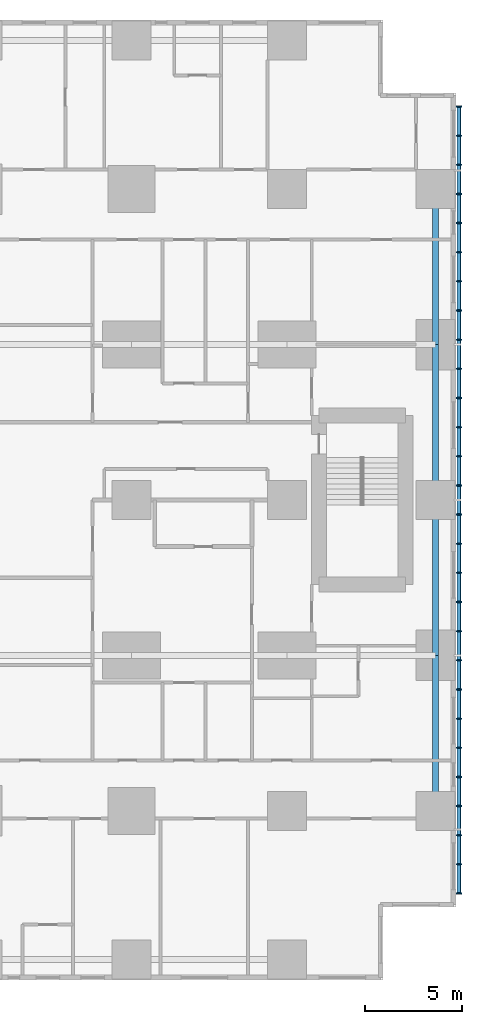
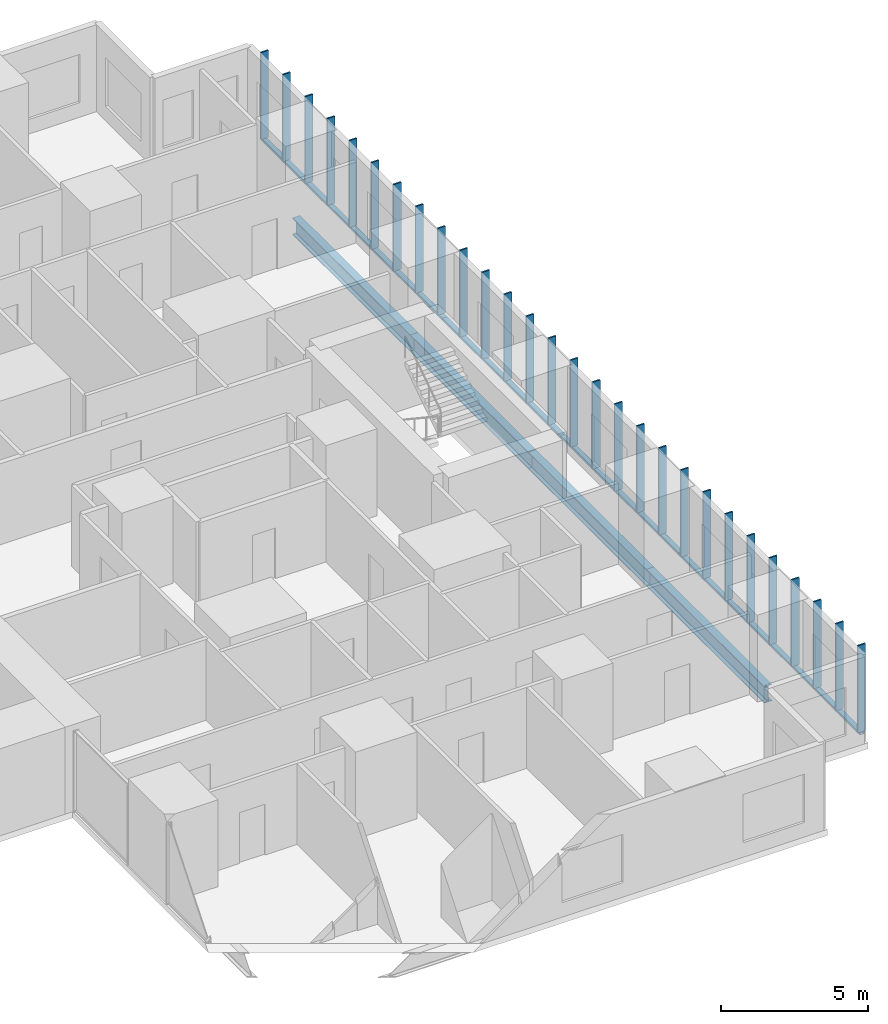
# One storey, part 6 of 20: 32 members, 4 beams.
"""IFC4 building model written with IfcOpenShell, lengths in metres."""

import ifcopenshell
import ifcopenshell.guid

model = None  # the IFC model being written
_history = None  # IfcOwnerHistory: only IFC2X3 demands one
_inside = {}  # id of a spatial element -> (the spatial element, [elements in it])
_under = {}  # id of a project, library or spatial element -> (it, [spatial elements below it])
_declared = {}  # id of a project -> (the project, [libraries it declares])
_typed = {}  # id of a type object -> (the type object, [elements of that type])
_made_of = {}  # id of a material, layer set ... -> (it, [elements and type objects made of it])


def new_model(schema):
    """Start an empty IFC model of exactly this schema.

    Asked for "IFC4X3", IfcOpenShell would pick the latest addendum, in which some entities
    have other attributes; the version numbers below select the first issue.
    IFC2X3 requires an IfcOwnerHistory on every rooted entity: one is made here for all.
    """
    global model, _history
    if schema == "IFC4X3":
        model = ifcopenshell.file(schema_version=(4, 3, 0, 0))
    else:
        model = ifcopenshell.file(schema=schema)
    _inside.clear()
    _under.clear()
    _declared.clear()
    _typed.clear()
    _made_of.clear()
    _history = None
    if model.schema == "IFC2X3":
        org = make("IfcOrganization", Name="unknown")
        user = make(
            "IfcPersonAndOrganization",
            ThePerson=make("IfcPerson", FamilyName="unknown"),
            TheOrganization=org,
        )
        app = make(
            "IfcApplication",
            ApplicationDeveloper=org,
            Version="unknown",
            ApplicationFullName="unknown",
            ApplicationIdentifier="unknown",
        )
        _history = make(
            "IfcOwnerHistory",
            OwningUser=user,
            OwningApplication=app,
            ChangeAction="ADDED",
            CreationDate=0,
        )
    return model


def make(cls, **values):
    """One entity of the class cls with the attributes given. An attribute that is None is left unset."""
    return model.create_entity(
        cls, **{name: value for name, value in values.items() if value is not None}
    )


def rooted(cls, **values):
    """An entity with a GlobalId (a new one), such as an element, a storey or a relation."""
    return make(cls, GlobalId=ifcopenshell.guid.new(), OwnerHistory=_history, **values)


def si_unit(unit_type, name, prefix=None):
    """IfcSIUnit, for example si_unit("LENGTHUNIT", "METRE", prefix="MILLI")."""
    return make("IfcSIUnit", UnitType=unit_type, Prefix=prefix, Name=name)


def assignment(units):
    """IfcUnitAssignment: the units of a project."""
    return None if units is None else make("IfcUnitAssignment", Units=units)


def point(xyz):
    """IfcCartesianPoint."""
    return None if xyz is None else make("IfcCartesianPoint", Coordinates=xyz)


def direction(xyz):
    """IfcDirection."""
    return None if xyz is None else make("IfcDirection", DirectionRatios=xyz)


def frame(location, z_axis=None, x_axis=None):
    """IfcAxis2Placement3D, a coordinate frame: its origin and axes. An axis left out is left unset."""
    return make(
        "IfcAxis2Placement3D",
        Location=point(location),
        Axis=direction(z_axis),
        RefDirection=direction(x_axis),
    )


def frame_2d(location, x_axis=None):
    """IfcAxis2Placement2D, a coordinate frame in the plane: its origin and x axis."""
    return make(
        "IfcAxis2Placement2D", Location=point(location), RefDirection=direction(x_axis)
    )


def origin():
    """The frame at (0, 0, 0) with its axes left unset."""
    return frame((0.0, 0.0, 0.0))


def origin_2d():
    """The frame at (0, 0) in the plane with its x axis left unset."""
    return frame_2d((0.0, 0.0))


def place(relative_to, where):
    """IfcLocalPlacement: puts the frame where relative to a parent placement (None: the world)."""
    return make(
        "IfcLocalPlacement", PlacementRelTo=relative_to, RelativePlacement=where
    )


def context(
    kind, dimensions, precision=None, world=None, true_north=None, identifier=None
):
    """IfcGeometricRepresentationContext, for example the 3D "Model" context."""
    return make(
        "IfcGeometricRepresentationContext",
        ContextIdentifier=identifier,
        ContextType=kind,
        CoordinateSpaceDimension=dimensions,
        Precision=precision,
        WorldCoordinateSystem=world,
        TrueNorth=true_north,
    )


def subcontext(parent, identifier, kind, view, scale=None):
    """IfcGeometricRepresentationSubContext, for example "Body" below "Model"."""
    return make(
        "IfcGeometricRepresentationSubContext",
        ContextIdentifier=identifier,
        ContextType=kind,
        ParentContext=parent,
        TargetScale=scale,
        TargetView=view,
    )


def project(units=None, contexts=None):
    """IfcProject with its units and contexts."""
    return rooted(
        "IfcProject",
        Name="project",
        RepresentationContexts=contexts,
        UnitsInContext=assignment(units),
    )


def spatial(cls, under=None, at=None, **own):
    """A site, building, storey or space (cls), placed at a placement, below another one or the project."""
    s = rooted(cls, ObjectPlacement=at, **own)
    if under is not None:
        _under.setdefault(under.id(), (under, []))[1].append(s)
    return s


def profile(cls, at=None, kind="AREA", **sizes):
    """A parametric profile (cls). Its sizes go by their IFC names, for example OverallWidth=200.0."""
    return make(cls, ProfileType=kind, Position=at, **sizes)


def rectangle(**sizes):
    """IfcRectangleProfileDef."""
    return profile("IfcRectangleProfileDef", **sizes)


def hollow_rectangle(**sizes):
    """IfcRectangleHollowProfileDef."""
    return profile("IfcRectangleHollowProfileDef", **sizes)


def i_section(**sizes):
    """IfcIShapeProfileDef."""
    return profile("IfcIShapeProfileDef", **sizes)


def extrude(swept, where, along, depth):
    """IfcExtrudedAreaSolid: the profile swept, set in the frame where, extruded along a direction by depth."""
    return make(
        "IfcExtrudedAreaSolid",
        SweptArea=swept,
        Position=where,
        ExtrudedDirection=direction(along),
        Depth=depth,
    )


def shape(context_of_items, identifier, shape_type, items):
    """IfcShapeRepresentation: the items that make up one representation, for example the "Body"."""
    return make(
        "IfcShapeRepresentation",
        ContextOfItems=context_of_items,
        RepresentationIdentifier=identifier,
        RepresentationType=shape_type,
        Items=items,
    )


def material(Name=None, Category=None):
    """IfcMaterial."""
    return make("IfcMaterial", Name=Name, Category=Category)


def material_profile(
    of_material, cross_section, Name=None, Category=None, Priority=None
):
    """IfcMaterialProfile: a cross section and its material."""
    return make(
        "IfcMaterialProfile",
        Name=Name,
        Material=of_material,
        Profile=cross_section,
        Priority=Priority,
        Category=Category,
    )


def profile_set(profiles, Name=None, composite=None):
    """IfcMaterialProfileSet."""
    return make(
        "IfcMaterialProfileSet",
        Name=Name,
        MaterialProfiles=profiles,
        CompositeProfile=composite,
    )


def made_of(thing, what):
    """Note that an element or type object is made of a material, layer set ...; save() writes the relation."""
    if what is not None:
        _made_of.setdefault(what.id(), (what, []))[1].append(thing)
    return thing


def type_object(cls, material=None, **own):
    """A type object (cls), such as IfcWallType, which elements share."""
    return made_of(rooted(cls, **own), material)


def element(
    cls,
    number,
    at=None,
    inside=None,
    cuts=None,
    type_object=None,
    material=None,
    context=None,
    identifier="Body",
    shape_type=None,
    held_by="IfcProductDefinitionShape",
    body=None,
    shapes=None,
    **own,
):
    """One element of the class cls, such as IfcWall. Its Tag is "e" and its number.

    at: its placement. inside: the storey or other place that contains it. cuts: it is an
    opening in that element (IfcRelVoidsElement). A single representation is given by context,
    identifier, shape_type and body (its items); several are given by shapes. held_by: the class
    of the entity that holds the representations. save() writes the other relations.
    """
    e = rooted(cls, Tag="e%d" % number, ObjectPlacement=at, **own)
    if body is not None:
        shapes = [shape(context, identifier, shape_type, body)]
    if shapes is not None:
        e.Representation = make(held_by, Representations=shapes)
    if inside is not None:
        _inside.setdefault(inside.id(), (inside, []))[1].append(e)
    if cuts is not None:
        rooted(
            "IfcRelVoidsElement", RelatingBuildingElement=cuts, RelatedOpeningElement=e
        )
    if type_object is not None:
        _typed.setdefault(type_object.id(), (type_object, []))[1].append(e)
    return made_of(e, material)


def aggregate(whole, parts):
    """IfcRelAggregates: a whole, such as a stair, and the parts it consists of."""
    return rooted("IfcRelAggregates", RelatingObject=whole, RelatedObjects=parts)


def save(model, path):
    """Write the relations noted so far, then the file.

    IfcRelAggregates (storeys below a building ...), IfcRelContainedInSpatialStructure (elements
    in a storey), IfcRelDefinesByType, IfcRelAssociatesMaterial and IfcRelDeclares: one each for
    every whole, place, type object, material and project.
    """
    for whole, parts in _under.values():
        aggregate(whole, parts)
    for where, things in _inside.values():
        rooted(
            "IfcRelContainedInSpatialStructure",
            RelatedElements=things,
            RelatingStructure=where,
        )
    for kind, things in _typed.values():
        rooted("IfcRelDefinesByType", RelatedObjects=things, RelatingType=kind)
    for what, things in _made_of.values():
        rooted("IfcRelAssociatesMaterial", RelatedObjects=things, RelatingMaterial=what)
    for by, libraries in _declared.values():
        rooted("IfcRelDeclares", RelatingContext=by, RelatedDefinitions=libraries)
    model.write(path)


model = new_model("IFC4")

# Units and contexts
model_context = context("Model", 3, precision=1e-05, world=origin(), true_north=direction((0.0, 1.0)))
body_context = subcontext(model_context, "Body", "Model", "MODEL_VIEW")
ifc_project = project(units=[si_unit("LENGTHUNIT", "METRE"), si_unit("AREAUNIT", "SQUARE_METRE"), si_unit("VOLUMEUNIT", "CUBIC_METRE"), si_unit("PLANEANGLEUNIT", "RADIAN"), si_unit("MASSUNIT", "GRAM", prefix="KILO")], contexts=[model_context])

# Site, building, storey
site_placement = place(None, origin())
site = spatial("IfcSite", under=ifc_project, at=site_placement, CompositionType="ELEMENT")
building_placement = place(site_placement, origin())
building = spatial("IfcBuilding", under=site, at=building_placement, Name="Cleftline Residences", CompositionType="ELEMENT")
storey_placement = place(building_placement, frame((0.0, 0.0, 36.800048828125)))
storey = spatial("IfcBuildingStorey", under=building, at=storey_placement, Name="L08", CompositionType="ELEMENT", Elevation=36.800048828125)

# Members
ifc_material_1 = material(Name="Steel S355, hot-dip galvanised", Category="steel")
ifc_material_profile_1 = material_profile(ifc_material_1, hollow_rectangle(XDim=0.10009765625, YDim=0.199951171875, WallThickness=0.008056640625, InnerFilletRadius=0.008056640625, OuterFilletRadius=0.011962890625, at=origin_2d()))
ifc_profile_set_1 = profile_set([ifc_material_profile_1], Name="Steel S355, hot-dip galvanised")
member_type_1 = type_object("IfcMemberType", Name="BAGUETTE CARRIER RHS 200X100X8", PredefinedType="USERDEFINED", material=ifc_profile_set_1)
member_1_placement = place(storey_placement, frame((66.85009765625, 3.699951171875, -0.050048828125), z_axis=(0.0, 1.0, 0.0), x_axis=(0.0, 0.0, 1.0)))
element("IfcMember", 1, at=member_1_placement, inside=storey, type_object=member_type_1, Name="Baguette carrier", ObjectType="BAGUETTE CARRIER", PredefinedType="USERDEFINED", context=body_context, shape_type="SweptSolid", body=[
    extrude(hollow_rectangle(XDim=0.10009765625, YDim=0.199951171875, WallThickness=0.008056640625, InnerFilletRadius=0.008056640625, OuterFilletRadius=0.011962890625, at=origin_2d()), origin(), (0.0, 0.0, 1.0), 12.300048828125),
])
for number, where, z_axis, x_axis, name in (
    (2, (66.85009765625, 16.0, -0.050048828125), (0.0, 1.0, 0.0), (0.0, 0.0, 1.0), "Baguette carrier"),
    (3, (66.85009765625, 24.0, -0.050048828125), (0.0, 1.0, 0.0), (0.0, 0.0, 1.0), "Baguette carrier"),
):
    element("IfcMember", number, at=place(storey_placement, frame(where, z_axis=z_axis, x_axis=x_axis)), inside=storey, type_object=member_type_1, Name=name, ObjectType="BAGUETTE CARRIER", PredefinedType="USERDEFINED", context=body_context, shape_type="SweptSolid", body=[
        extrude(hollow_rectangle(XDim=0.10009765625, YDim=0.199951171875, WallThickness=0.008056640625, InnerFilletRadius=0.008056640625, OuterFilletRadius=0.011962890625, at=origin_2d()), origin(), (0.0, 0.0, 1.0), 8.0),
    ])
member_2_placement = place(storey_placement, frame((66.85009765625, 32.0, -0.050048828125), z_axis=(0.0, 1.0, 0.0), x_axis=(0.0, 0.0, 1.0)))
element("IfcMember", 4, at=member_2_placement, inside=storey, type_object=member_type_1, Name="Baguette carrier", ObjectType="BAGUETTE CARRIER", PredefinedType="USERDEFINED", context=body_context, shape_type="SweptSolid", body=[
    extrude(hollow_rectangle(XDim=0.10009765625, YDim=0.199951171875, WallThickness=0.008056640625, InnerFilletRadius=0.008056640625, OuterFilletRadius=0.011962890625, at=origin_2d()), origin(), (0.0, 0.0, 1.0), 12.300048828125),
])

# Beams
ifc_material_2 = material(Name="Steel S355", Category="steel")
ifc_material_profile_2 = material_profile(ifc_material_2, i_section(OverallWidth=0.300048828125, OverallDepth=0.699951171875, WebThickness=0.01708984375, FlangeThickness=0.031982421875, FilletRadius=0.027099609375, at=origin_2d()))
ifc_profile_set_2 = profile_set([ifc_material_profile_2], Name="Steel S355")
beam_type = type_object("IfcBeamType", Name="BEAM HEB 700", PredefinedType="BEAM", material=ifc_profile_set_2)
for number, where, z_axis, x_axis, name in (
    (5, (65.64990234375, 8.0, -0.60009765625), (0.0, 1.0, 0.0), (-1.0, 0.0, 0.0), "Edge beam"),
    (6, (65.64990234375, 16.0, -0.60009765625), (0.0, 1.0, 0.0), (-1.0, 0.0, 0.0), "Edge beam"),
    (7, (65.64990234375, 24.0, -0.60009765625), (0.0, 1.0, 0.0), (-1.0, 0.0, 0.0), "Edge beam"),
    (8, (65.64990234375, 32.0, -0.60009765625), (0.0, 1.0, 0.0), (-1.0, 0.0, 0.0), "Edge beam"),
):
    element("IfcBeam", number, at=place(storey_placement, frame(where, z_axis=z_axis, x_axis=x_axis)), inside=storey, type_object=beam_type, Name=name, PredefinedType="BEAM", context=body_context, shape_type="SweptSolid", body=[
        extrude(i_section(OverallWidth=0.300048828125, OverallDepth=0.699951171875, WebThickness=0.01708984375, FlangeThickness=0.031982421875, FilletRadius=0.027099609375, at=origin_2d()), origin(), (0.0, 0.0, 1.0), 8.0),
    ])

# Members
ifc_material_3 = material(Name="Extruded terracotta", Category="masonry")
ifc_material_profile_3 = material_profile(ifc_material_3, rectangle(XDim=0.06005859375, YDim=0.300048828125, at=origin_2d()))
ifc_profile_set_3 = profile_set([ifc_material_profile_3], Name="Extruded terracotta")
member_type_2 = type_object("IfcMemberType", Name="TERRACOTTA BAGUETTE 60X300", PredefinedType="USERDEFINED", material=ifc_profile_set_3)
for number, where, z_axis, x_axis, name in (
    (9, (66.85009765625, 3.75, 0.0), (0.0, 0.0, 1.0), (0.0, 1.0, 0.0), "Terracotta baguette"),
    (10, (66.85009765625, 5.25, 0.0), (0.0, 0.0, 1.0), (0.0, 1.0, 0.0), "Terracotta baguette"),
    (11, (66.85009765625, 6.75, 0.0), (0.0, 0.0, 1.0), (0.0, 1.0, 0.0), "Terracotta baguette"),
    (12, (66.85009765625, 8.25, 0.0), (0.0, 0.0, 1.0), (0.0, 1.0, 0.0), "Terracotta baguette"),
    (13, (66.85009765625, 9.75, 0.0), (0.0, 0.0, 1.0), (0.0, 1.0, 0.0), "Terracotta baguette"),
    (14, (66.85009765625, 11.25, 0.0), (0.0, 0.0, 1.0), (0.0, 1.0, 0.0), "Terracotta baguette"),
    (15, (66.85009765625, 12.75, 0.0), (0.0, 0.0, 1.0), (0.0, 1.0, 0.0), "Terracotta baguette"),
    (16, (66.85009765625, 14.25, 0.0), (0.0, 0.0, 1.0), (0.0, 1.0, 0.0), "Terracotta baguette"),
    (17, (66.85009765625, 15.75, 0.0), (0.0, 0.0, 1.0), (0.0, 1.0, 0.0), "Terracotta baguette"),
    (18, (66.85009765625, 17.25, 0.0), (0.0, 0.0, 1.0), (0.0, 1.0, 0.0), "Terracotta baguette"),
    (19, (66.85009765625, 18.75, 0.0), (0.0, 0.0, 1.0), (0.0, 1.0, 0.0), "Terracotta baguette"),
    (20, (66.85009765625, 20.25, 0.0), (0.0, 0.0, 1.0), (0.0, 1.0, 0.0), "Terracotta baguette"),
    (21, (66.85009765625, 21.75, 0.0), (0.0, 0.0, 1.0), (0.0, 1.0, 0.0), "Terracotta baguette"),
    (22, (66.85009765625, 23.25, 0.0), (0.0, 0.0, 1.0), (0.0, 1.0, 0.0), "Terracotta baguette"),
    (23, (66.85009765625, 24.75, 0.0), (0.0, 0.0, 1.0), (0.0, 1.0, 0.0), "Terracotta baguette"),
    (24, (66.85009765625, 26.25, 0.0), (0.0, 0.0, 1.0), (0.0, 1.0, 0.0), "Terracotta baguette"),
    (25, (66.85009765625, 27.75, 0.0), (0.0, 0.0, 1.0), (0.0, 1.0, 0.0), "Terracotta baguette"),
    (26, (66.85009765625, 29.25, 0.0), (0.0, 0.0, 1.0), (0.0, 1.0, 0.0), "Terracotta baguette"),
    (27, (66.85009765625, 30.75, 0.0), (0.0, 0.0, 1.0), (0.0, 1.0, 0.0), "Terracotta baguette"),
    (28, (66.85009765625, 32.25, 0.0), (0.0, 0.0, 1.0), (0.0, 1.0, 0.0), "Terracotta baguette"),
    (29, (66.85009765625, 33.75, 0.0), (0.0, 0.0, 1.0), (0.0, 1.0, 0.0), "Terracotta baguette"),
    (30, (66.85009765625, 35.25, 0.0), (0.0, 0.0, 1.0), (0.0, 1.0, 0.0), "Terracotta baguette"),
    (31, (66.85009765625, 36.75, 0.0), (0.0, 0.0, 1.0), (0.0, 1.0, 0.0), "Terracotta baguette"),
    (32, (66.85009765625, 38.25, 0.0), (0.0, 0.0, 1.0), (0.0, 1.0, 0.0), "Terracotta baguette"),
    (33, (66.85009765625, 39.75, 0.0), (0.0, 0.0, 1.0), (0.0, 1.0, 0.0), "Terracotta baguette"),
    (34, (66.85009765625, 41.25, 0.0), (0.0, 0.0, 1.0), (0.0, 1.0, 0.0), "Terracotta baguette"),
    (35, (66.85009765625, 42.75, 0.0), (0.0, 0.0, 1.0), (0.0, 1.0, 0.0), "Terracotta baguette"),
    (36, (66.85009765625, 44.25, 0.0), (0.0, 0.0, 1.0), (0.0, 1.0, 0.0), "Terracotta baguette"),
):
    element("IfcMember", number, at=place(storey_placement, frame(where, z_axis=z_axis, x_axis=x_axis)), inside=storey, type_object=member_type_2, Name=name, ObjectType="BAGUETTE", PredefinedType="USERDEFINED", context=body_context, shape_type="SweptSolid", body=[
        extrude(rectangle(XDim=0.06005859375, YDim=0.300048828125, at=origin_2d()), origin(), (0.0, 0.0, 1.0), 3.599853515625),
    ])

save(model, "model.ifc")
